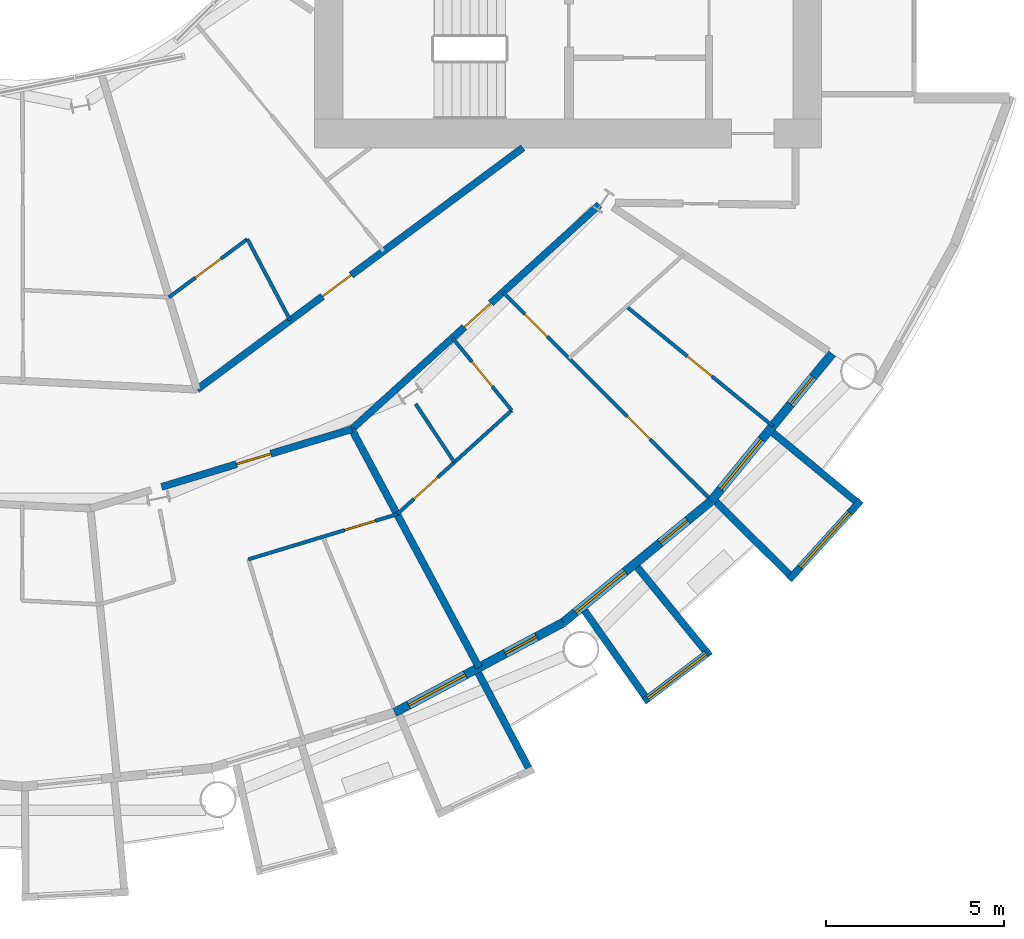
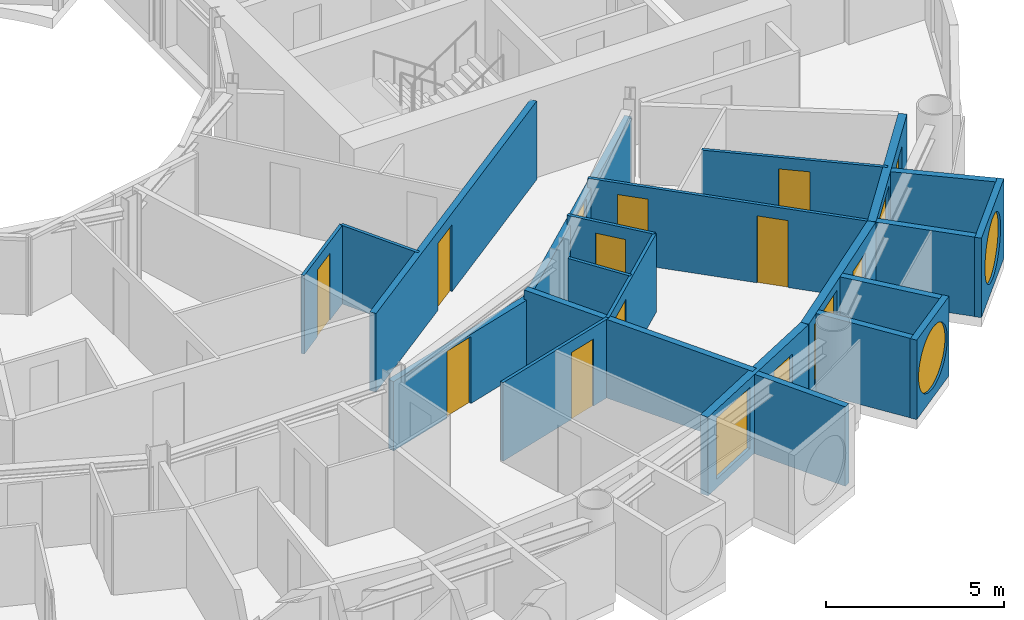
# One storey, part 16 of 26: 22 walls, 13 doors, 5 windows, 18 openings.
"""IFC4 building model written with IfcOpenShell, lengths in metres."""

from ifc_helpers import new_model, si_unit, direction, frame, frame_2d, origin, place, context, subcontext, project, spatial, rectangle, circle, extrude, material, layer, layer_set, type_object, element, fill, save


model = new_model("IFC4")

# Units and contexts
model_context = context("Model", 3, precision=1e-05, world=origin(), true_north=direction((0.0, 1.0)))
body_context = subcontext(model_context, "Body", "Model", "MODEL_VIEW")
ifc_project = project(units=[si_unit("LENGTHUNIT", "METRE"), si_unit("AREAUNIT", "SQUARE_METRE"), si_unit("VOLUMEUNIT", "CUBIC_METRE"), si_unit("PLANEANGLEUNIT", "RADIAN"), si_unit("MASSUNIT", "GRAM", prefix="KILO")], contexts=[model_context])

# Site, building, storey
site_placement = place(None, origin())
site = spatial("IfcSite", under=ifc_project, at=site_placement, CompositionType="ELEMENT")
building_placement = place(site_placement, origin())
building = spatial("IfcBuilding", under=site, at=building_placement, Name="Maasbend Ring Residences", CompositionType="ELEMENT")
storey_placement = place(building_placement, frame((0.0, 0.0, 44.14990234375)))
storey = spatial("IfcBuildingStorey", under=building, at=storey_placement, Name="L12", CompositionType="ELEMENT", Elevation=44.14990234375)

# Wall, opening, door
ifc_material_1 = material(Name="Concrete C30/37", Category="concrete")
ifc_layer_1 = layer(ifc_material_1, 0.199951171875)
ifc_layer_set_1 = layer_set([ifc_layer_1], Name="Concrete C30/37")
wall_type_1 = type_object("IfcWallType", Name="CORRIDOR WALL 200 CONCRETE", PredefinedType="PARTITIONING", material=ifc_layer_set_1)
wall_1_placement = place(storey_placement, frame((3.9150390625, -18.90087890625, 0.0), z_axis=(0.0, 0.0, 1.0), x_axis=(0.956941324682, 0.290281417103, 0.0)))
wall_1 = element("IfcWall", 1, at=wall_1_placement, inside=storey, type_object=wall_type_1, Name="U-L12-w016", PredefinedType="PARTITIONING", context=body_context, shape_type="SweptSolid", body=[
    extrude(rectangle(XDim=5.5634765625, YDim=0.199951171875, at=frame_2d((2.78173828125, 0.0))), origin(), (0.0, 0.0, 1.0), 2.380126953125),
])
opening_1_placement = place(wall_1_placement, frame((2.196044921875, 0.0, 0.0)))
opening_1 = element("IfcOpeningElement", 2, at=opening_1_placement, cuts=wall_1, Name="Opening D-1247", PredefinedType="OPENING", context=body_context, shape_type="SweptSolid", body=[
    extrude(rectangle(XDim=1.0, YDim=2.300048828125, at=frame_2d((0.5, 1.14990234375))), frame((0.0, 0.10986328125, 0.0), z_axis=(0.0, -1.0, 0.0), x_axis=(1.0, 0.0, 0.0)), (0.0, 0.0, 1.0), 0.219970703125),
])
ifc_material_2 = material(Name="Timber, fire-rated, painted", Category="wood")
door_type_1 = type_object("IfcDoorType", Name="FLAT ENTRANCE DOOR 1000 X 2300 FIRE-RATED", OperationType="NOTDEFINED", PredefinedType="DOOR", material=ifc_material_2)
door_1_placement = place(opening_1_placement, origin())
door_1 = element("IfcDoor", 3, at=door_1_placement, inside=storey, type_object=door_type_1, Name="D-1247", OperationType="SINGLE_SWING_LEFT", OverallHeight=2.300048828125, OverallWidth=1.0, PredefinedType="DOOR", context=body_context, shape_type="SweptSolid", body=[
    extrude(rectangle(XDim=1.0, YDim=2.300048828125, at=frame_2d((0.5, 1.14990234375))), frame((0.0, 0.02490234375, 0.0), z_axis=(0.0, -1.0, 0.0), x_axis=(1.0, 0.0, 0.0)), (0.0, 0.0, 1.0), 0.050048828125),
])
fill(opening_1, door_1)

wall_2_placement = place(storey_placement, frame((9.239013671875, -17.287109375, 0.0), z_axis=(0.0, 0.0, 1.0), x_axis=(0.74089212117, 0.671624050186, 0.0)))
wall_2 = element("IfcWall", 4, at=wall_2_placement, inside=storey, type_object=wall_type_1, Name="U-L12-w018", PredefinedType="PARTITIONING", context=body_context, shape_type="SweptSolid", body=[
    extrude(rectangle(XDim=9.368408203125, YDim=0.199951171875, at=frame_2d((4.68408203125, 0.0))), origin(), (0.0, 0.0, 1.0), 2.380126953125),
])
opening_2_placement = place(wall_2_placement, frame((4.262939453125, 0.0, 0.0)))
opening_2 = element("IfcOpeningElement", 5, at=opening_2_placement, cuts=wall_2, Name="Opening D-1251", PredefinedType="OPENING", context=body_context, shape_type="SweptSolid", body=[
    extrude(rectangle(XDim=1.0, YDim=2.300048828125, at=frame_2d((0.5, 1.14990234375))), frame((0.0, 0.10986328125, 0.0), z_axis=(0.0, -1.0, 0.0), x_axis=(1.0, 0.0, 0.0)), (0.0, 0.0, 1.0), 0.219970703125),
])
door_2_placement = place(opening_2_placement, origin())
door_2 = element("IfcDoor", 6, at=door_2_placement, inside=storey, type_object=door_type_1, Name="D-1251", OperationType="SINGLE_SWING_RIGHT", OverallHeight=2.300048828125, OverallWidth=1.0, PredefinedType="DOOR", context=body_context, shape_type="SweptSolid", body=[
    extrude(rectangle(XDim=1.0, YDim=2.300048828125, at=frame_2d((0.5, 1.14990234375))), frame((0.0, 0.02490234375, 0.0), z_axis=(0.0, -1.0, 0.0), x_axis=(1.0, 0.0, 0.0)), (0.0, 0.0, 1.0), 0.050048828125),
])
fill(opening_2, door_2)

wall_3_placement = place(storey_placement, frame((4.906005859375, -16.172119140625, 0.0), z_axis=(0.0, 0.0, 1.0), x_axis=(0.803202106898, 0.595706618626, 0.0)))
wall_3 = element("IfcWall", 7, at=wall_3_placement, inside=storey, type_object=wall_type_1, Name="U-L12-w021", PredefinedType="PARTITIONING", context=body_context, shape_type="SweptSolid", body=[
    extrude(rectangle(XDim=11.368408203125, YDim=0.199951171875, at=frame_2d((5.68408203125, 0.0))), origin(), (0.0, 0.0, 1.0), 2.7001953125),
])
opening_3_placement = place(wall_3_placement, frame((4.3798828125, 0.0, 0.0)))
opening_3 = element("IfcOpeningElement", 8, at=opening_3_placement, cuts=wall_3, Name="Opening D-1265", PredefinedType="OPENING", context=body_context, shape_type="SweptSolid", body=[
    extrude(rectangle(XDim=1.0, YDim=2.300048828125, at=frame_2d((0.5, 1.14990234375))), frame((0.0, 0.10986328125, 0.0), z_axis=(0.0, -1.0, 0.0), x_axis=(1.0, 0.0, 0.0)), (0.0, 0.0, 1.0), 0.219970703125),
])
door_3_placement = place(opening_3_placement, origin())
door_3 = element("IfcDoor", 9, at=door_3_placement, inside=storey, type_object=door_type_1, Name="D-1265", OperationType="SINGLE_SWING_LEFT", OverallHeight=2.300048828125, OverallWidth=1.0, PredefinedType="DOOR", context=body_context, shape_type="SweptSolid", body=[
    extrude(rectangle(XDim=1.0, YDim=2.300048828125, at=frame_2d((0.5, 1.14990234375))), frame((0.0, 0.02490234375, 0.0), z_axis=(0.0, -1.0, 0.0), x_axis=(1.0, 0.0, 0.0)), (0.0, 0.0, 1.0), 0.050048828125),
])
fill(opening_3, door_3)

# Wall
ifc_material_3 = material(Name="Pale anodised aluminium panel", Category="aluminium")
ifc_layer_2 = layer(ifc_material_3, 0.199951171875)
ifc_layer_set_2 = layer_set([ifc_layer_2], Name="EW-BOX")
wall_type_2 = type_object("IfcWallType", Name="EW-BOX", PredefinedType="SOLIDWALL", material=ifc_layer_set_2)
wall_4_placement = place(storey_placement, frame((12.787109375, -24.113037109375, -0.02978515625), z_axis=(0.0, 0.0, 1.0), x_axis=(0.468365282436, -0.883534924159, 0.0)))
element("IfcWall", 10, at=wall_4_placement, inside=storey, type_object=wall_type_2, Name="Box side wall S15 right", PredefinedType="SOLIDWALL", context=body_context, shape_type="SweptSolid", body=[
    extrude(rectangle(XDim=3.006103515625, YDim=0.199951171875, at=frame_2d((1.5029296875, 0.0))), origin(), (0.0, 0.0, 1.0), 2.72998046875),
])

# Wall, opening, window
wall_5_placement = place(storey_placement, frame((17.427001953125, -24.908935546875, -0.02978515625), z_axis=(0.0, 0.0, 1.0), x_axis=(0.796842165306, 0.60418752353, 0.0)))
wall_5 = element("IfcWall", 11, at=wall_5_placement, inside=storey, type_object=wall_type_2, Name="Box front S17", PredefinedType="SOLIDWALL", context=body_context, shape_type="SweptSolid", body=[
    extrude(rectangle(XDim=2.3369140625, YDim=0.199951171875, at=frame_2d((1.16845703125, 0.0))), origin(), (0.0, 0.0, 1.0), 2.72998046875),
])
opening_4_placement = place(wall_5_placement, frame((0.128173828125, 0.0, 0.330078125)))
opening_4 = element("IfcOpeningElement", 12, at=opening_4_placement, cuts=wall_5, Name="Opening W-RD", PredefinedType="OPENING", context=body_context, shape_type="SweptSolid", body=[
    extrude(circle(Radius=1.0400390625, at=frame_2d((1.0400390625, 1.0400390625))), frame((0.0, 0.10986328125, 0.0), z_axis=(0.0, -1.0, 0.0), x_axis=(1.0, 0.0, 0.0)), (0.0, 0.0, 1.0), 0.219970703125),
])
ifc_material_4 = material(Name="Aluminium and clear glass", Category="aluminium")
window_type_1 = type_object("IfcWindowType", Name="W-RD", PartitioningType="SINGLE_PANEL", PredefinedType="WINDOW", material=ifc_material_4)
window_1_placement = place(opening_4_placement, origin())
window_1 = element("IfcWindow", 13, at=window_1_placement, inside=storey, type_object=window_type_1, Name="Round window S17", OverallHeight=2.080078125, OverallWidth=2.080078125, PartitioningType="SINGLE_PANEL", PredefinedType="WINDOW", context=body_context, shape_type="SweptSolid", body=[
    extrude(circle(Radius=1.0400390625, at=frame_2d((1.0400390625, 1.0400390625))), frame((0.0, 0.030029296875, 0.0), z_axis=(0.0, -1.0, 0.0), x_axis=(1.0, 0.0, 0.0)), (0.0, 0.0, 1.0), 0.06005859375),
])
fill(opening_4, window_1)

# Walls
wall_6_placement = place(storey_placement, frame((15.764892578125, -22.3701171875, -0.02978515625), z_axis=(0.0, 0.0, 1.0), x_axis=(0.576274612209, -0.817256123454, 0.0)))
element("IfcWall", 14, at=wall_6_placement, inside=storey, type_object=wall_type_2, Name="Box side wall S17 left", PredefinedType="SOLIDWALL", context=body_context, shape_type="SweptSolid", body=[
    extrude(rectangle(XDim=2.932861328125, YDim=0.199951171875, at=frame_2d((1.46630859375, 0.0))), origin(), (0.0, 0.0, 1.0), 2.72998046875),
])
wall_7_placement = place(storey_placement, frame((17.24609375, -21.155029296875, -0.02978515625), z_axis=(0.0, 0.0, 1.0), x_axis=(0.631741648902, -0.775179004516, 0.0)))
element("IfcWall", 15, at=wall_7_placement, inside=storey, type_object=wall_type_2, Name="Box side wall S17 right", PredefinedType="SOLIDWALL", context=body_context, shape_type="SweptSolid", body=[
    extrude(rectangle(XDim=3.005859375, YDim=0.199951171875, at=frame_2d((1.5029296875, 0.0))), origin(), (0.0, 0.0, 1.0), 2.72998046875),
])

# Wall, opening, window
wall_8_placement = place(storey_placement, frame((21.492919921875, -21.5, -0.02978515625), z_axis=(0.0, 0.0, 1.0), x_axis=(0.671506829416, 0.740998365753, 0.0)))
wall_8 = element("IfcWall", 16, at=wall_8_placement, inside=storey, type_object=wall_type_2, Name="Box front S19", PredefinedType="SOLIDWALL", context=body_context, shape_type="SweptSolid", body=[
    extrude(rectangle(XDim=2.9931640625, YDim=0.199951171875, at=frame_2d((1.49658203125, 0.0))), origin(), (0.0, 0.0, 1.0), 2.72998046875),
])
opening_5_placement = place(wall_8_placement, frame((0.45654296875, 0.0, 0.330078125)))
opening_5 = element("IfcOpeningElement", 17, at=opening_5_placement, cuts=wall_8, Name="Opening W-RD", PredefinedType="OPENING", context=body_context, shape_type="SweptSolid", body=[
    extrude(circle(Radius=1.0400390625, at=frame_2d((1.0400390625, 1.0400390625))), frame((0.0, 0.10986328125, 0.0), z_axis=(0.0, -1.0, 0.0), x_axis=(1.0, 0.0, 0.0)), (0.0, 0.0, 1.0), 0.219970703125),
])
window_2_placement = place(opening_5_placement, origin())
window_2 = element("IfcWindow", 18, at=window_2_placement, inside=storey, type_object=window_type_1, Name="Round window S19", OverallHeight=2.080078125, OverallWidth=2.080078125, PartitioningType="SINGLE_PANEL", PredefinedType="WINDOW", context=body_context, shape_type="SweptSolid", body=[
    extrude(circle(Radius=1.0400390625, at=frame_2d((1.0400390625, 1.0400390625))), frame((0.0, 0.030029296875, 0.0), z_axis=(0.0, -1.0, 0.0), x_axis=(1.0, 0.0, 0.0)), (0.0, 0.0, 1.0), 0.06005859375),
])
fill(opening_5, window_2)

# Walls
wall_9_placement = place(storey_placement, frame((19.449951171875, -19.322998046875, -0.02978515625), z_axis=(0.0, 0.0, 1.0), x_axis=(0.709727076896, -0.704476739375, 0.0)))
element("IfcWall", 19, at=wall_9_placement, inside=storey, type_object=wall_type_2, Name="Box side wall S19 left", PredefinedType="SOLIDWALL", context=body_context, shape_type="SweptSolid", body=[
    extrude(rectangle(XDim=2.883056640625, YDim=0.199951171875, at=frame_2d((1.44140625, 0.0))), origin(), (0.0, 0.0, 1.0), 2.72998046875),
])
wall_10_placement = place(storey_placement, frame((21.041015625, -17.384033203125, -0.02978515625), z_axis=(0.0, 0.0, 1.0), x_axis=(0.770784861449, -0.63709551667, 0.0)))
element("IfcWall", 20, at=wall_10_placement, inside=storey, type_object=wall_type_2, Name="Box side wall S19 right", PredefinedType="SOLIDWALL", context=body_context, shape_type="SweptSolid", body=[
    extrude(rectangle(XDim=3.005859375, YDim=0.199951171875, at=frame_2d((1.5029296875, 0.0))), origin(), (0.0, 0.0, 1.0), 2.72998046875),
])

# Wall, openings, door, window
ifc_material_5 = material(Name="Aluminium clad insulated panel", Category="aluminium")
ifc_layer_3 = layer(ifc_material_5, 0.25)
ifc_layer_set_3 = layer_set([ifc_layer_3], Name="EW-GL")
wall_type_3 = type_object("IfcWallType", Name="EW-GL", PredefinedType="SOLIDWALL", material=ifc_layer_set_3)
wall_11_placement = place(storey_placement, frame((10.447021484375, -25.221923828125, 0.0), z_axis=(0.0, 0.0, 1.0), x_axis=(0.881915646801, 0.471407246368, 0.0)))
wall_11 = element("IfcWall", 21, at=wall_11_placement, inside=storey, type_object=wall_type_3, Name="External wall S08", PredefinedType="SOLIDWALL", context=body_context, shape_type="SweptSolid", body=[
    extrude(rectangle(XDim=5.35205078125, YDim=0.25, at=frame_2d((2.676025390625, 0.0))), origin(), (0.0, 0.0, 1.0), 2.7001953125),
])
opening_6_placement = place(wall_11_placement, frame((0.441162109375, 0.0, 0.300048828125)))
opening_6 = element("IfcOpeningElement", 22, at=opening_6_placement, cuts=wall_11, Name="Opening W-BX", PredefinedType="OPENING", context=body_context, shape_type="SweptSolid", body=[
    extrude(rectangle(XDim=1.800048828125, YDim=2.10009765625, at=frame_2d((0.89990234375, 1.050048828125))), frame((0.0, 0.135009765625, 0.0), z_axis=(0.0, -1.0, 0.0), x_axis=(1.0, 0.0, 0.0)), (0.0, 0.0, 1.0), 0.27001953125),
])
opening_7_placement = place(wall_11_placement, frame((3.510498046875, 0.0, 0.0)))
opening_7 = element("IfcOpeningElement", 23, at=opening_7_placement, cuts=wall_11, Name="Opening D-LG", PredefinedType="OPENING", context=body_context, shape_type="SweptSolid", body=[
    extrude(rectangle(XDim=1.0, YDim=2.199951171875, at=frame_2d((0.5, 1.10009765625))), frame((0.0, 0.135009765625, 0.0), z_axis=(0.0, -1.0, 0.0), x_axis=(1.0, 0.0, 0.0)), (0.0, 0.0, 1.0), 0.27001953125),
])
ifc_material_6 = material(Name="Aluminium and clear glass", Category="aluminium")
door_type_2 = type_object("IfcDoorType", Name="D-LG", OperationType="SINGLE_SWING_LEFT", PredefinedType="DOOR", material=ifc_material_6)
door_4_placement = place(opening_7_placement, origin())
door_4 = element("IfcDoor", 24, at=door_4_placement, inside=storey, type_object=door_type_2, Name="Loggia door S16", OperationType="SINGLE_SWING_LEFT", OverallHeight=2.199951171875, OverallWidth=1.0, PredefinedType="DOOR", context=body_context, shape_type="SweptSolid", body=[
    extrude(rectangle(XDim=1.0, YDim=2.199951171875, at=frame_2d((0.5, 1.10009765625))), frame((0.0, 0.02490234375, 0.0), z_axis=(0.0, -1.0, 0.0), x_axis=(1.0, 0.0, 0.0)), (0.0, 0.0, 1.0), 0.050048828125),
])
fill(opening_7, door_4)
ifc_material_7 = material(Name="Aluminium and clear glass", Category="aluminium")
window_type_2 = type_object("IfcWindowType", Name="W-BX", PartitioningType="DOUBLE_PANEL_VERTICAL", PredefinedType="WINDOW", material=ifc_material_7)
window_3_placement = place(opening_6_placement, origin())
window_3 = element("IfcWindow", 25, at=window_3_placement, inside=storey, type_object=window_type_2, Name="Window S15 room to box", OverallHeight=2.10009765625, OverallWidth=1.800048828125, PartitioningType="SINGLE_PANEL", PredefinedType="WINDOW", context=body_context, shape_type="SweptSolid", body=[
    extrude(rectangle(XDim=1.800048828125, YDim=2.10009765625, at=frame_2d((0.89990234375, 1.050048828125))), frame((0.0, 0.030029296875, 0.0), z_axis=(0.0, -1.0, 0.0), x_axis=(1.0, 0.0, 0.0)), (0.0, 0.0, 1.0), 0.06005859375),
])
fill(opening_6, window_3)

wall_12_placement = place(storey_placement, frame((15.1669921875, -22.698974609375, 0.0), z_axis=(0.0, 0.0, 1.0), x_axis=(0.773019449054, 0.634382322723, 0.0)))
wall_12 = element("IfcWall", 26, at=wall_12_placement, inside=storey, type_object=wall_type_3, Name="External wall S09", PredefinedType="SOLIDWALL", context=body_context, shape_type="SweptSolid", body=[
    extrude(rectangle(XDim=5.351806640625, YDim=0.25, at=frame_2d((2.67578125, 0.0))), origin(), (0.0, 0.0, 1.0), 2.7001953125),
])
opening_8_placement = place(wall_12_placement, frame((0.441162109375, 0.0, 0.300048828125)))
opening_8 = element("IfcOpeningElement", 27, at=opening_8_placement, cuts=wall_12, Name="Opening W-BX", PredefinedType="OPENING", context=body_context, shape_type="SweptSolid", body=[
    extrude(rectangle(XDim=1.800048828125, YDim=2.10009765625, at=frame_2d((0.89990234375, 1.050048828125))), frame((0.0, 0.135009765625, 0.0), z_axis=(0.0, -1.0, 0.0), x_axis=(1.0, 0.0, 0.0)), (0.0, 0.0, 1.0), 0.27001953125),
])
opening_9_placement = place(wall_12_placement, frame((3.510498046875, 0.0, 0.0)))
opening_9 = element("IfcOpeningElement", 28, at=opening_9_placement, cuts=wall_12, Name="Opening D-LG", PredefinedType="OPENING", context=body_context, shape_type="SweptSolid", body=[
    extrude(rectangle(XDim=1.0, YDim=2.199951171875, at=frame_2d((0.5, 1.10009765625))), frame((0.0, 0.135009765625, 0.0), z_axis=(0.0, -1.0, 0.0), x_axis=(1.0, 0.0, 0.0)), (0.0, 0.0, 1.0), 0.27001953125),
])
door_5_placement = place(opening_9_placement, origin())
door_5 = element("IfcDoor", 29, at=door_5_placement, inside=storey, type_object=door_type_2, Name="Loggia door S18", OperationType="SINGLE_SWING_LEFT", OverallHeight=2.199951171875, OverallWidth=1.0, PredefinedType="DOOR", context=body_context, shape_type="SweptSolid", body=[
    extrude(rectangle(XDim=1.0, YDim=2.199951171875, at=frame_2d((0.5, 1.10009765625))), frame((0.0, 0.02490234375, 0.0), z_axis=(0.0, -1.0, 0.0), x_axis=(1.0, 0.0, 0.0)), (0.0, 0.0, 1.0), 0.050048828125),
])
fill(opening_9, door_5)
window_4_placement = place(opening_8_placement, origin())
window_4 = element("IfcWindow", 30, at=window_4_placement, inside=storey, type_object=window_type_2, Name="Window S17 room to box", OverallHeight=2.10009765625, OverallWidth=1.800048828125, PartitioningType="SINGLE_PANEL", PredefinedType="WINDOW", context=body_context, shape_type="SweptSolid", body=[
    extrude(rectangle(XDim=1.800048828125, YDim=2.10009765625, at=frame_2d((0.89990234375, 1.050048828125))), frame((0.0, 0.030029296875, 0.0), z_axis=(0.0, -1.0, 0.0), x_axis=(1.0, 0.0, 0.0)), (0.0, 0.0, 1.0), 0.06005859375),
])
fill(opening_8, window_4)

wall_13_placement = place(storey_placement, frame((19.303955078125, -19.303955078125, 0.0), z_axis=(0.0, 0.0, 1.0), x_axis=(0.634382322723, 0.773019449054, 0.0)))
wall_13 = element("IfcWall", 31, at=wall_13_placement, inside=storey, type_object=wall_type_3, Name="External wall S10", PredefinedType="SOLIDWALL", context=body_context, shape_type="SweptSolid", body=[
    extrude(rectangle(XDim=5.351806640625, YDim=0.25, at=frame_2d((2.67578125, 0.0))), origin(), (0.0, 0.0, 1.0), 2.7001953125),
])
opening_10_placement = place(wall_13_placement, frame((0.441162109375, 0.0, 0.300048828125)))
opening_10 = element("IfcOpeningElement", 32, at=opening_10_placement, cuts=wall_13, Name="Opening W-BX", PredefinedType="OPENING", context=body_context, shape_type="SweptSolid", body=[
    extrude(rectangle(XDim=1.800048828125, YDim=2.10009765625, at=frame_2d((0.89990234375, 1.050048828125))), frame((0.0, 0.135009765625, 0.0), z_axis=(0.0, -1.0, 0.0), x_axis=(1.0, 0.0, 0.0)), (0.0, 0.0, 1.0), 0.27001953125),
])
opening_11_placement = place(wall_13_placement, frame((3.510498046875, 0.0, 0.0)))
opening_11 = element("IfcOpeningElement", 33, at=opening_11_placement, cuts=wall_13, Name="Opening D-LG", PredefinedType="OPENING", context=body_context, shape_type="SweptSolid", body=[
    extrude(rectangle(XDim=1.0, YDim=2.199951171875, at=frame_2d((0.5, 1.10009765625))), frame((0.0, 0.135009765625, 0.0), z_axis=(0.0, -1.0, 0.0), x_axis=(1.0, 0.0, 0.0)), (0.0, 0.0, 1.0), 0.27001953125),
])
door_6_placement = place(opening_11_placement, origin())
door_6 = element("IfcDoor", 34, at=door_6_placement, inside=storey, type_object=door_type_2, Name="Loggia door S20", OperationType="SINGLE_SWING_LEFT", OverallHeight=2.199951171875, OverallWidth=1.0, PredefinedType="DOOR", context=body_context, shape_type="SweptSolid", body=[
    extrude(rectangle(XDim=1.0, YDim=2.199951171875, at=frame_2d((0.5, 1.10009765625))), frame((0.0, 0.02490234375, 0.0), z_axis=(0.0, -1.0, 0.0), x_axis=(1.0, 0.0, 0.0)), (0.0, 0.0, 1.0), 0.050048828125),
])
fill(opening_11, door_6)
window_5_placement = place(opening_10_placement, origin())
window_5 = element("IfcWindow", 35, at=window_5_placement, inside=storey, type_object=window_type_2, Name="Window S19 room to box", OverallHeight=2.10009765625, OverallWidth=1.800048828125, PartitioningType="SINGLE_PANEL", PredefinedType="WINDOW", context=body_context, shape_type="SweptSolid", body=[
    extrude(rectangle(XDim=1.800048828125, YDim=2.10009765625, at=frame_2d((0.89990234375, 1.050048828125))), frame((0.0, 0.030029296875, 0.0), z_axis=(0.0, -1.0, 0.0), x_axis=(1.0, 0.0, 0.0)), (0.0, 0.0, 1.0), 0.06005859375),
])
fill(opening_10, window_5)

# Wall, opening, door
ifc_material_8 = material(Name="Gypsum board on steel studs", Category="steel")
ifc_layer_4 = layer(ifc_material_8, 0.10009765625)
ifc_layer_set_4 = layer_set([ifc_layer_4], Name="PARTITION 100 GYPSUM")
wall_type_4 = type_object("IfcWallType", Name="PARTITION 100 GYPSUM", PredefinedType="PARTITIONING", material=ifc_layer_set_4)
wall_14_placement = place(storey_placement, frame((6.345947265625, -20.930908203125, 0.0), z_axis=(0.0, 0.0, 1.0), x_axis=(0.956923957423, 0.290338663821, 0.0)))
wall_14 = element("IfcWall", 36, at=wall_14_placement, inside=storey, type_object=wall_type_4, Name="U-L12-w006", PredefinedType="PARTITIONING", context=body_context, shape_type="SweptSolid", body=[
    extrude(rectangle(XDim=4.356689453125, YDim=0.10009765625, at=frame_2d((2.17822265625, 0.0))), origin(), (0.0, 0.0, 1.0), 2.7001953125),
])
opening_12_placement = place(wall_14_placement, frame((2.818115234375, 0.0, 0.0)))
opening_12 = element("IfcOpeningElement", 37, at=opening_12_placement, cuts=wall_14, Name="Opening D-1250", PredefinedType="OPENING", context=body_context, shape_type="SweptSolid", body=[
    extrude(rectangle(XDim=0.89990234375, YDim=2.300048828125, at=frame_2d((0.449951171875, 1.14990234375))), frame((0.0, 0.06005859375, 0.0), z_axis=(0.0, -1.0, 0.0), x_axis=(1.0, 0.0, 0.0)), (0.0, 0.0, 1.0), 0.1201171875),
])
ifc_material_9 = material(Name="Timber, painted", Category="wood")
door_type_3 = type_object("IfcDoorType", Name="INTERNAL DOOR 900 X 2300", OperationType="NOTDEFINED", PredefinedType="DOOR", material=ifc_material_9)
door_7_placement = place(opening_12_placement, origin())
door_7 = element("IfcDoor", 38, at=door_7_placement, inside=storey, type_object=door_type_3, Name="D-1250", OperationType="SINGLE_SWING_RIGHT", OverallHeight=2.300048828125, OverallWidth=0.89990234375, PredefinedType="DOOR", context=body_context, shape_type="SweptSolid", body=[
    extrude(rectangle(XDim=0.89990234375, YDim=2.300048828125, at=frame_2d((0.449951171875, 1.14990234375))), frame((0.0, 0.02490234375, 0.0), z_axis=(0.0, -1.0, 0.0), x_axis=(1.0, 0.0, 0.0)), (0.0, 0.0, 1.0), 0.050048828125),
])
fill(opening_12, door_7)

wall_15_placement = place(storey_placement, frame((10.506103515625, -19.6708984375, 0.0), z_axis=(0.0, 0.0, 1.0), x_axis=(0.741162670015, 0.671325477377, 0.0)))
wall_15 = element("IfcWall", 39, at=wall_15_placement, inside=storey, type_object=wall_type_4, Name="U-L12-w011", PredefinedType="PARTITIONING", context=body_context, shape_type="SweptSolid", body=[
    extrude(rectangle(XDim=4.341796875, YDim=0.10009765625, at=frame_2d((2.1708984375, 0.0))), origin(), (0.0, 0.0, 1.0), 2.7001953125),
])
opening_13_placement = place(wall_15_placement, frame((0.64306640625, 0.0, 0.0)))
opening_13 = element("IfcOpeningElement", 40, at=opening_13_placement, cuts=wall_15, Name="Opening D-1252", PredefinedType="OPENING", context=body_context, shape_type="SweptSolid", body=[
    extrude(rectangle(XDim=0.89990234375, YDim=2.300048828125, at=frame_2d((0.449951171875, 1.14990234375))), frame((0.0, 0.06005859375, 0.0), z_axis=(0.0, -1.0, 0.0), x_axis=(1.0, 0.0, 0.0)), (0.0, 0.0, 1.0), 0.1201171875),
])
door_8_placement = place(opening_13_placement, origin())
door_8 = element("IfcDoor", 41, at=door_8_placement, inside=storey, type_object=door_type_3, Name="D-1252", OperationType="SINGLE_SWING_LEFT", OverallHeight=2.300048828125, OverallWidth=0.89990234375, PredefinedType="DOOR", context=body_context, shape_type="SweptSolid", body=[
    extrude(rectangle(XDim=0.89990234375, YDim=2.300048828125, at=frame_2d((0.449951171875, 1.14990234375))), frame((0.0, 0.02490234375, 0.0), z_axis=(0.0, -1.0, 0.0), x_axis=(1.0, 0.0, 0.0)), (0.0, 0.0, 1.0), 0.050048828125),
])
fill(opening_13, door_8)

wall_16_placement = place(storey_placement, frame((4.118896484375, -13.590087890625, 0.0), z_axis=(0.0, 0.0, 1.0), x_axis=(0.803128348509, 0.595806055542, 0.0)))
wall_16 = element("IfcWall", 42, at=wall_16_placement, inside=storey, type_object=wall_type_4, Name="U-L12-w026", PredefinedType="PARTITIONING", context=body_context, shape_type="SweptSolid", body=[
    extrude(rectangle(XDim=2.734375, YDim=0.10009765625, at=frame_2d((1.3671875, 0.0))), origin(), (0.0, 0.0, 1.0), 2.7001953125),
])
opening_14_placement = place(wall_16_placement, frame((0.919921875, 0.0, 0.0)))
opening_14 = element("IfcOpeningElement", 43, at=opening_14_placement, cuts=wall_16, Name="Opening D-1266", PredefinedType="OPENING", context=body_context, shape_type="SweptSolid", body=[
    extrude(rectangle(XDim=0.89990234375, YDim=2.300048828125, at=frame_2d((0.449951171875, 1.14990234375))), frame((0.0, 0.06005859375, 0.0), z_axis=(0.0, -1.0, 0.0), x_axis=(1.0, 0.0, 0.0)), (0.0, 0.0, 1.0), 0.1201171875),
])
door_9_placement = place(opening_14_placement, origin())
door_9 = element("IfcDoor", 44, at=door_9_placement, inside=storey, type_object=door_type_3, Name="D-1266", OperationType="SINGLE_SWING_RIGHT", OverallHeight=2.300048828125, OverallWidth=0.89990234375, PredefinedType="DOOR", context=body_context, shape_type="SweptSolid", body=[
    extrude(rectangle(XDim=0.89990234375, YDim=2.300048828125, at=frame_2d((0.449951171875, 1.14990234375))), frame((0.0, 0.02490234375, 0.0), z_axis=(0.0, -1.0, 0.0), x_axis=(1.0, 0.0, 0.0)), (0.0, 0.0, 1.0), 0.050048828125),
])
fill(opening_14, door_9)

# Walls
wall_17_placement = place(storey_placement, frame((6.318115234375, -11.9599609375, 0.0), z_axis=(0.0, 0.0, 1.0), x_axis=(0.467001992543, -0.884256263173, 0.0)))
element("IfcWall", 45, at=wall_17_placement, inside=storey, type_object=wall_type_4, Name="U-L12-w075", PredefinedType="PARTITIONING", context=body_context, shape_type="SweptSolid", body=[
    extrude(rectangle(XDim=2.571533203125, YDim=0.10009765625, at=frame_2d((1.28564453125, 0.0))), origin(), (0.0, 0.0, 1.0), 2.7001953125),
])
wall_18_placement = place(storey_placement, frame((11.030029296875, -16.575927734375, 0.0), z_axis=(0.0, 0.0, 1.0), x_axis=(0.553954074672, -0.83254722578, 0.0)))
element("IfcWall", 46, at=wall_18_placement, inside=storey, type_object=wall_type_4, Name="U-L12-w082", PredefinedType="PARTITIONING", context=body_context, shape_type="SweptSolid", body=[
    extrude(rectangle(XDim=1.9638671875, YDim=0.10009765625, at=frame_2d((0.98193359375, 0.0))), origin(), (0.0, 0.0, 1.0), 2.7001953125),
])

# Wall, opening, door
wall_19_placement = place(storey_placement, frame((12.06201171875, -14.72705078125, 0.0), z_axis=(0.0, 0.0, 1.0), x_axis=(0.633688798249, -0.773588073185, 0.0)))
wall_19 = element("IfcWall", 47, at=wall_19_placement, inside=storey, type_object=wall_type_4, Name="U-L12-w084", PredefinedType="PARTITIONING", context=body_context, shape_type="SweptSolid", body=[
    extrude(rectangle(XDim=2.622802734375, YDim=0.10009765625, at=frame_2d((1.3115234375, 0.0))), origin(), (0.0, 0.0, 1.0), 2.7001953125),
])
opening_15_placement = place(wall_19_placement, frame((0.861083984375, 0.0, 0.0)))
opening_15 = element("IfcOpeningElement", 48, at=opening_15_placement, cuts=wall_19, Name="Opening D-1253", PredefinedType="OPENING", context=body_context, shape_type="SweptSolid", body=[
    extrude(rectangle(XDim=0.89990234375, YDim=2.300048828125, at=frame_2d((0.449951171875, 1.14990234375))), frame((0.0, 0.06005859375, 0.0), z_axis=(0.0, -1.0, 0.0), x_axis=(1.0, 0.0, 0.0)), (0.0, 0.0, 1.0), 0.1201171875),
])
door_10_placement = place(opening_15_placement, origin())
door_10 = element("IfcDoor", 49, at=door_10_placement, inside=storey, type_object=door_type_3, Name="D-1253", OperationType="SINGLE_SWING_LEFT", OverallHeight=2.300048828125, OverallWidth=0.89990234375, PredefinedType="DOOR", context=body_context, shape_type="SweptSolid", body=[
    extrude(rectangle(XDim=0.89990234375, YDim=2.300048828125, at=frame_2d((0.449951171875, 1.14990234375))), frame((0.0, 0.02490234375, 0.0), z_axis=(0.0, -1.0, 0.0), x_axis=(1.0, 0.0, 0.0)), (0.0, 0.0, 1.0), 0.050048828125),
])
fill(opening_15, door_10)

# Wall, openings, doors
wall_20_placement = place(storey_placement, frame((13.47412109375, -13.447998046875, 0.0), z_axis=(0.0, 0.0, 1.0), x_axis=(0.707901324545, -0.706311344031, 0.0)))
wall_20 = element("IfcWall", 50, at=wall_20_placement, inside=storey, type_object=wall_type_4, Name="U-L12-w086", PredefinedType="PARTITIONING", context=body_context, shape_type="SweptSolid", body=[
    extrude(rectangle(XDim=8.13818359375, YDim=0.10009765625, at=frame_2d((4.069091796875, 0.0))), origin(), (0.0, 0.0, 1.0), 2.7001953125),
])
opening_16_placement = place(wall_20_placement, frame((0.861083984375, 0.0, 0.0)))
opening_16 = element("IfcOpeningElement", 51, at=opening_16_placement, cuts=wall_20, Name="Opening D-1254", PredefinedType="OPENING", context=body_context, shape_type="SweptSolid", body=[
    extrude(rectangle(XDim=0.89990234375, YDim=2.300048828125, at=frame_2d((0.449951171875, 1.14990234375))), frame((0.0, 0.06005859375, 0.0), z_axis=(0.0, -1.0, 0.0), x_axis=(1.0, 0.0, 0.0)), (0.0, 0.0, 1.0), 0.1201171875),
])
opening_17_placement = place(wall_20_placement, frame((4.930908203125, 0.0, 0.0)))
opening_17 = element("IfcOpeningElement", 52, at=opening_17_placement, cuts=wall_20, Name="Opening D-1255", PredefinedType="OPENING", context=body_context, shape_type="SweptSolid", body=[
    extrude(rectangle(XDim=0.89990234375, YDim=2.300048828125, at=frame_2d((0.449951171875, 1.14990234375))), frame((0.0, 0.06005859375, 0.0), z_axis=(0.0, -1.0, 0.0), x_axis=(1.0, 0.0, 0.0)), (0.0, 0.0, 1.0), 0.1201171875),
])
door_11_placement = place(opening_16_placement, origin())
door_11 = element("IfcDoor", 53, at=door_11_placement, inside=storey, type_object=door_type_3, Name="D-1254", OperationType="SINGLE_SWING_LEFT", OverallHeight=2.300048828125, OverallWidth=0.89990234375, PredefinedType="DOOR", context=body_context, shape_type="SweptSolid", body=[
    extrude(rectangle(XDim=0.89990234375, YDim=2.300048828125, at=frame_2d((0.449951171875, 1.14990234375))), frame((0.0, 0.02490234375, 0.0), z_axis=(0.0, -1.0, 0.0), x_axis=(1.0, 0.0, 0.0)), (0.0, 0.0, 1.0), 0.050048828125),
])
fill(opening_16, door_11)
door_12_placement = place(opening_17_placement, origin())
door_12 = element("IfcDoor", 54, at=door_12_placement, inside=storey, type_object=door_type_3, Name="D-1255", OperationType="SINGLE_SWING_RIGHT", OverallHeight=2.300048828125, OverallWidth=0.89990234375, PredefinedType="DOOR", context=body_context, shape_type="SweptSolid", body=[
    extrude(rectangle(XDim=0.89990234375, YDim=2.300048828125, at=frame_2d((0.449951171875, 1.14990234375))), frame((0.0, 0.02490234375, 0.0), z_axis=(0.0, -1.0, 0.0), x_axis=(1.0, 0.0, 0.0)), (0.0, 0.0, 1.0), 0.050048828125),
])
fill(opening_17, door_12)

# Wall, opening, door
wall_21_placement = place(storey_placement, frame((16.93603515625, -13.844970703125, 0.0), z_axis=(0.0, 0.0, 1.0), x_axis=(0.774310172558, -0.632806255241, 0.0)))
wall_21 = element("IfcWall", 55, at=wall_21_placement, inside=storey, type_object=wall_type_4, Name="U-L12-w089", PredefinedType="PARTITIONING", context=body_context, shape_type="SweptSolid", body=[
    extrude(rectangle(XDim=5.30029296875, YDim=0.10009765625, at=frame_2d((2.650146484375, 0.0))), origin(), (0.0, 0.0, 1.0), 2.7001953125),
])
opening_18_placement = place(wall_21_placement, frame((2.199951171875, 0.0, 0.0)))
opening_18 = element("IfcOpeningElement", 56, at=opening_18_placement, cuts=wall_21, Name="Opening D-1256", PredefinedType="OPENING", context=body_context, shape_type="SweptSolid", body=[
    extrude(rectangle(XDim=0.89990234375, YDim=2.300048828125, at=frame_2d((0.449951171875, 1.14990234375))), frame((0.0, 0.06005859375, 0.0), z_axis=(0.0, -1.0, 0.0), x_axis=(1.0, 0.0, 0.0)), (0.0, 0.0, 1.0), 0.1201171875),
])
door_13_placement = place(opening_18_placement, origin())
door_13 = element("IfcDoor", 57, at=door_13_placement, inside=storey, type_object=door_type_3, Name="D-1256", OperationType="SINGLE_SWING_LEFT", OverallHeight=2.300048828125, OverallWidth=0.89990234375, PredefinedType="DOOR", context=body_context, shape_type="SweptSolid", body=[
    extrude(rectangle(XDim=0.89990234375, YDim=2.300048828125, at=frame_2d((0.449951171875, 1.14990234375))), frame((0.0, 0.02490234375, 0.0), z_axis=(0.0, -1.0, 0.0), x_axis=(1.0, 0.0, 0.0)), (0.0, 0.0, 1.0), 0.050048828125),
])
fill(opening_18, door_13)

# Wall
ifc_material_10 = material(Name="Concrete C30/37", Category="concrete")
ifc_layer_5 = layer(ifc_material_10, 0.199951171875)
ifc_layer_set_5 = layer_set([ifc_layer_5], Name="Concrete C30/37")
wall_type_5 = type_object("IfcWallType", Name="PARTY WALL 200 CONCRETE", PredefinedType="PARTITIONING", material=ifc_layer_set_5)
wall_22_placement = place(storey_placement, frame((9.239013671875, -17.285888671875, 0.0), z_axis=(0.0, 0.0, 1.0), x_axis=(0.471439510802, -0.881898399848, 0.0)))
element("IfcWall", 58, at=wall_22_placement, inside=storey, type_object=wall_type_5, Name="U-L12-w081", PredefinedType="PARTITIONING", context=body_context, shape_type="SweptSolid", body=[
    extrude(rectangle(XDim=7.57470703125, YDim=0.199951171875, at=frame_2d((3.787353515625, 0.0))), origin(), (0.0, 0.0, 1.0), 2.7001953125),
])

save(model, "model.ifc")
